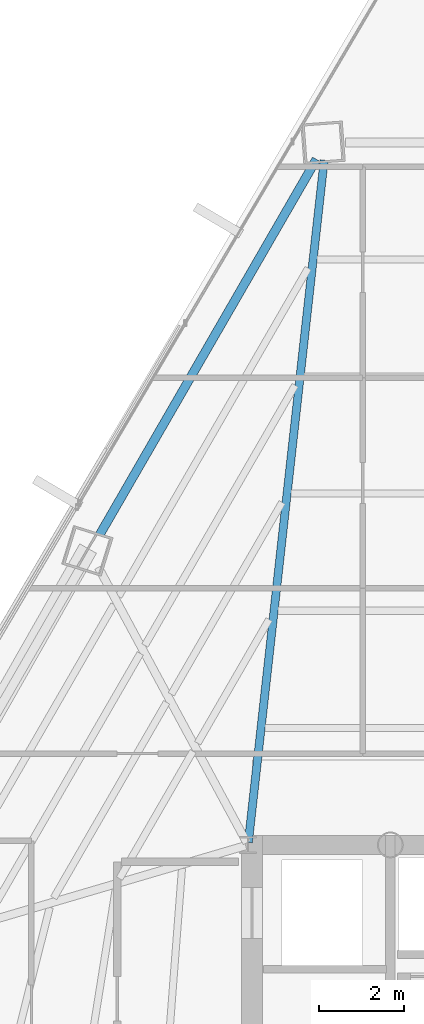
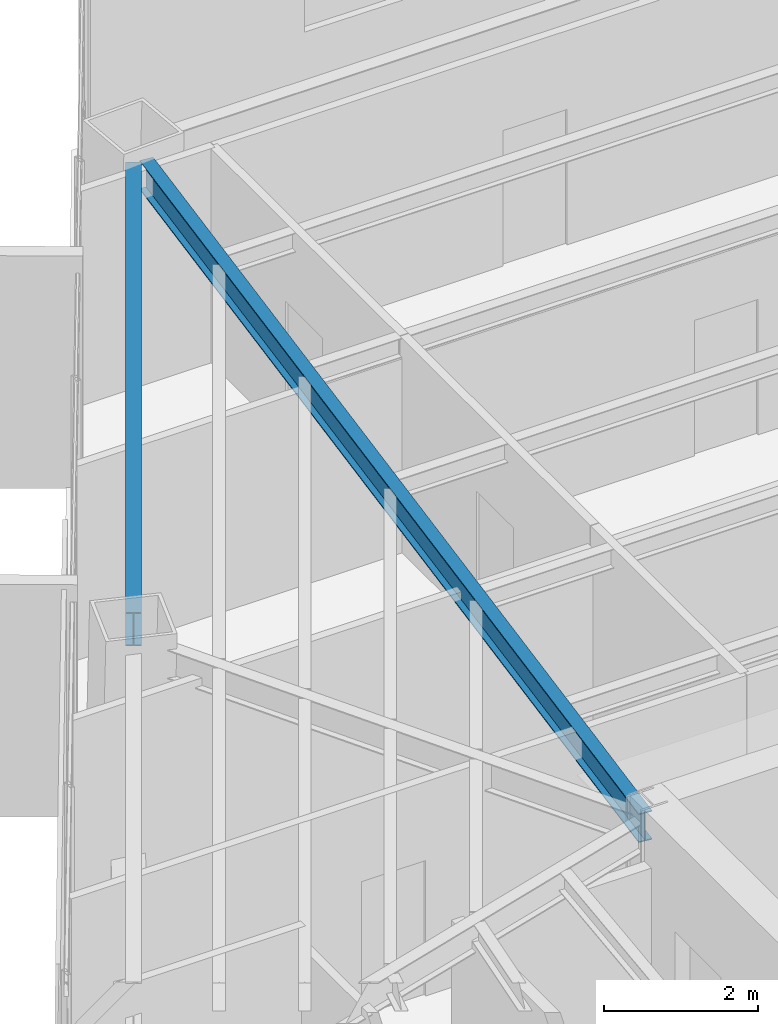
# One storey, part 26 of 40: 2 beams.
"""IFC4 building model written with IfcOpenShell, lengths in metres."""

from ifc_helpers import new_model, si_unit, direction, frame, origin, origin_2d, place, context, subcontext, project, spatial, i_section, extrude, source, transform, mapped, material, material_profile, profile_set, type_object, type_shapes, element, save


model = new_model("IFC4")

# Units and contexts
model_context = context("Model", 3, precision=1e-05, world=origin(), true_north=direction((0.0, 1.0)))
body_context = subcontext(model_context, "Body", "Model", "MODEL_VIEW")
ifc_project = project(units=[si_unit("LENGTHUNIT", "METRE"), si_unit("AREAUNIT", "SQUARE_METRE"), si_unit("VOLUMEUNIT", "CUBIC_METRE"), si_unit("PLANEANGLEUNIT", "RADIAN"), si_unit("MASSUNIT", "GRAM", prefix="KILO")], contexts=[model_context])

# Site, building, storey
site_placement = place(None, origin())
site = spatial("IfcSite", under=ifc_project, at=site_placement, CompositionType="ELEMENT")
building_placement = place(site_placement, origin())
building = spatial("IfcBuilding", under=site, at=building_placement, Name="Caelisora Broadcast Tower", CompositionType="ELEMENT")
storey_placement = place(building_placement, frame((0.0, 0.0, 176.75)))
storey = spatial("IfcBuildingStorey", under=building, at=storey_placement, Name="L46", CompositionType="ELEMENT", Elevation=176.75)

# Beams
ifc_material = material(Name="Steel Grade 350 (AS/NZS 3679.1)", Category="steel")
ifc_material_profile_1 = material_profile(ifc_material, i_section(OverallWidth=0.208984375, OverallDepth=0.532958984375, WebThickness=0.01025390625, FlangeThickness=0.015625, at=origin_2d()), Name="Steel Grade 350 (AS/NZS 3679.1)")
ifc_profile_set_1 = profile_set([ifc_material_profile_1], Name="Steel Grade 350 (AS/NZS 3679.1)")
beam_type_1 = type_object("IfcBeamType", Name="PG05", PredefinedType="BEAM", material=ifc_profile_set_1)
shared_shape_1 = source(origin(), body_context, "Body", "SweptSolid", [
    extrude(i_section(OverallWidth=0.208984375, OverallDepth=0.532958984375, WebThickness=0.01025390625, FlangeThickness=0.015625, at=origin_2d()), origin(), (0.0, 0.0, 1.0), 10.206787109375),
])
type_shapes(beam_type_1, [shared_shape_1])
beam_1_placement = place(storey_placement, frame((32.1083984375, 46.142578125, 3.133544921875), z_axis=(-0.499990243552, -0.866031036599, 0.0), x_axis=(0.866031036599, -0.499990243552, 0.0)))
element("IfcBeam", 1, at=beam_1_placement, inside=storey, type_object=beam_type_1, Name="L46 beam PG05", PredefinedType="BEAM", context=body_context, shape_type="MappedRepresentation", body=[
    mapped(shared_shape_1, transform((0.0, 0.0, 0.0), scale=1.0)),
])
ifc_material_profile_2 = material_profile(ifc_material, i_section(OverallWidth=0.19091796875, OverallDepth=0.46044921875, WebThickness=0.010009765625, FlangeThickness=0.01611328125, at=origin_2d()), Name="Steel Grade 350 (AS/NZS 3679.1)")
ifc_profile_set_2 = profile_set([ifc_material_profile_2], Name="Steel Grade 350 (AS/NZS 3679.1)")
beam_type_2 = type_object("IfcBeamType", Name="PG06", PredefinedType="BEAM", material=ifc_profile_set_2)
shared_shape_2 = source(origin(), body_context, "Body", "SweptSolid", [
    extrude(i_section(OverallWidth=0.19091796875, OverallDepth=0.46044921875, WebThickness=0.010009765625, FlangeThickness=0.01611328125, at=origin_2d()), origin(), (0.0, 0.0, 1.0), 16.162841796875),
])
type_shapes(beam_type_2, [shared_shape_2])
beam_2_placement = place(storey_placement, frame((30.506591796875, 30.0595703125, 3.169921875), z_axis=(0.110463025516, 0.99388023423, 0.0), x_axis=(-0.99388023423, 0.110463025516, 0.0)))
element("IfcBeam", 2, at=beam_2_placement, inside=storey, type_object=beam_type_2, Name="L46 beam PG06", PredefinedType="BEAM", context=body_context, shape_type="MappedRepresentation", body=[
    mapped(shared_shape_2, transform((0.0, 0.0, 0.0), scale=1.0)),
])

save(model, "model.ifc")
